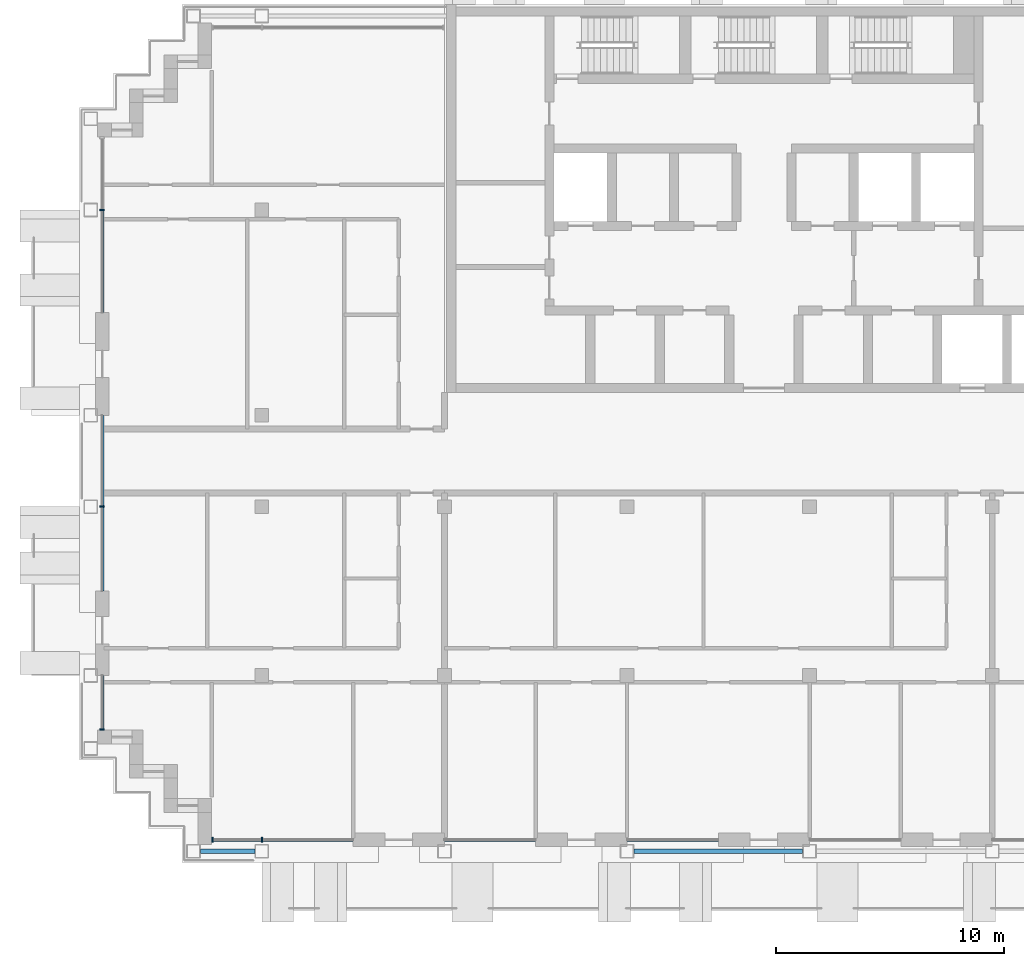
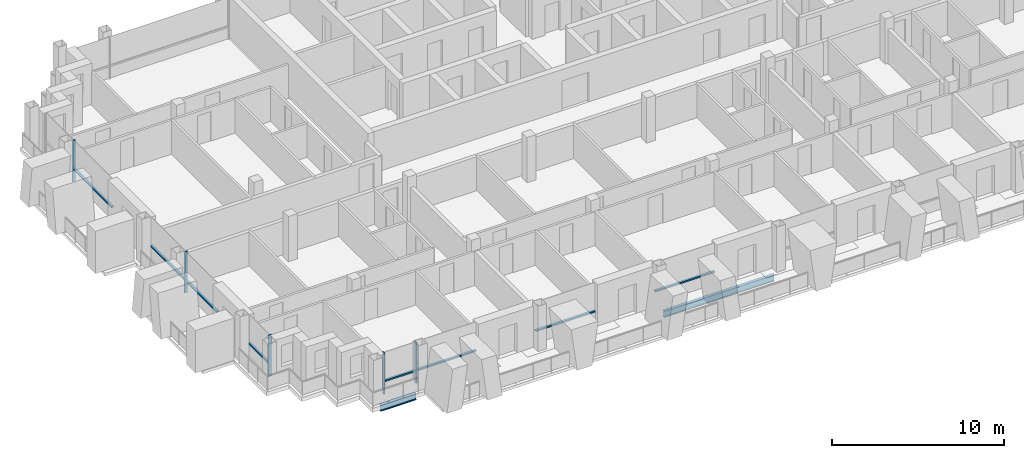
# One storey, part 2 of 16: 13 members, 2 beams, 6 elements without a shape of their own.
"""IFC4 building model written with IfcOpenShell, lengths in metres."""

from ifc_helpers import new_model, si_unit, direction, frame, origin, origin_2d, place, context, subcontext, project, spatial, rectangle, i_section, extrude, material, material_profile, profile_set, type_object, element, aggregate, save


model = new_model("IFC4")

# Units and contexts
model_context = context("Model", 3, precision=1e-05, world=origin(), true_north=direction((0.0, 1.0)))
body_context = subcontext(model_context, "Body", "Model", "MODEL_VIEW")
ifc_project = project(units=[si_unit("LENGTHUNIT", "METRE"), si_unit("AREAUNIT", "SQUARE_METRE"), si_unit("VOLUMEUNIT", "CUBIC_METRE"), si_unit("PLANEANGLEUNIT", "RADIAN"), si_unit("MASSUNIT", "GRAM", prefix="KILO")], contexts=[model_context])

# Site, building, storey
site_placement = place(None, origin())
site = spatial("IfcSite", under=ifc_project, at=site_placement, CompositionType="ELEMENT")
building_placement = place(site_placement, origin())
building = spatial("IfcBuilding", under=site, at=building_placement, Name="Vidyagriha Tower", CompositionType="ELEMENT")
storey_placement = place(building_placement, frame((0.0, 0.0, 207.60009765625)))
storey = spatial("IfcBuildingStorey", under=building, at=storey_placement, Name="L53", CompositionType="ELEMENT", Elevation=207.60009765625)

# Beams
ifc_material_1 = material(Name="Steel ASTM A992 Grade 50", Category="steel")
ifc_material_profile_1 = material_profile(ifc_material_1, i_section(OverallWidth=0.19189453125, OverallDepth=0.46240234375, WebThickness=0.010498046875, FlangeThickness=0.017578125, at=origin_2d()), Name="W18X60")
ifc_profile_set_1 = profile_set([ifc_material_profile_1], Name="Steel ASTM A992 Grade 50")
beam_type = type_object("IfcBeamType", Name="Edge beam W18X60", PredefinedType="SPANDREL", material=ifc_profile_set_1)
beam_1_placement = place(storey_placement, frame((-24.699951171875, -17.10009765625, -0.51123046875), z_axis=(1.0, 0.0, 0.0), x_axis=(0.0, 1.0, 0.0)))
element("IfcBeam", 1, at=beam_1_placement, inside=storey, type_object=beam_type, Name="st-beam-L53-S01", PredefinedType="SPANDREL", context=body_context, shape_type="SweptSolid", body=[
    extrude(i_section(OverallWidth=0.19189453125, OverallDepth=0.46240234375, WebThickness=0.010498046875, FlangeThickness=0.017578125, at=origin_2d()), origin(), (0.0, 0.0, 1.0), 2.39990234375),
])
beam_2_placement = place(storey_placement, frame((-5.699951171875, -17.10009765625, -0.51123046875), z_axis=(1.0, 0.0, 0.0), x_axis=(0.0, 1.0, 0.0)))
element("IfcBeam", 2, at=beam_2_placement, inside=storey, type_object=beam_type, Name="st-beam-L53-S02", PredefinedType="SPANDREL", context=body_context, shape_type="SweptSolid", body=[
    extrude(i_section(OverallWidth=0.19189453125, OverallDepth=0.46240234375, WebThickness=0.010498046875, FlangeThickness=0.017578125, at=origin_2d()), origin(), (0.0, 0.0, 1.0), 7.39990234375),
])

# Curtain wall, member
ifc_material_2 = material(Name="Aluminium and glass curtain wall", Category="aluminium")
curtain_wall_type = type_object("IfcCurtainWallType", Name="Dwelling skin unitised curtain wall", PredefinedType="USERDEFINED", material=ifc_material_2)
curtain_wall_1_placement = place(storey_placement, origin())
curtain_wall_1 = element("IfcCurtainWall", 3, at=curtain_wall_1_placement, inside=storey, type_object=curtain_wall_type, Name="CW1 dwelling skin", ObjectType="UNITISED", PredefinedType="USERDEFINED")
ifc_material_3 = material(Name="Aluminium black anodised", Category="aluminium")
ifc_material_profile_2 = material_profile(ifc_material_3, rectangle(XDim=0.199951171875, YDim=0.070068359375, at=origin_2d()), Name="Mullion 70x200 black aluminium")
ifc_profile_set_2 = profile_set([ifc_material_profile_2], Name="Aluminium black anodised")
member_type_1 = type_object("IfcMemberType", Name="Mullion 70x200 black aluminium", PredefinedType="MULLION", material=ifc_profile_set_2)
member_1_placement = place(storey_placement, frame((-29.0, 11.0, 0.0)))
member_1 = element("IfcMember", 4, at=member_1_placement, type_object=member_type_1, Name="CW1 mullion 2", PredefinedType="MULLION", context=body_context, shape_type="SweptSolid", body=[
    extrude(rectangle(XDim=0.199951171875, YDim=0.070068359375, at=origin_2d()), origin(), (0.0, 0.0, 1.0), 2.919921875),
])

curtain_wall_2_placement = place(storey_placement, origin())
curtain_wall_2 = element("IfcCurtainWall", 5, at=curtain_wall_2_placement, inside=storey, type_object=curtain_wall_type, Name="CW1 dwelling skin", ObjectType="UNITISED", PredefinedType="USERDEFINED")
member_2_placement = place(storey_placement, frame((-29.0, -2.0, 0.0)))
member_2 = element("IfcMember", 6, at=member_2_placement, type_object=member_type_1, Name="CW1 mullion 2", PredefinedType="MULLION", context=body_context, shape_type="SweptSolid", body=[
    extrude(rectangle(XDim=0.199951171875, YDim=0.070068359375, at=origin_2d()), origin(), (0.0, 0.0, 1.0), 2.919921875),
])

curtain_wall_3_placement = place(storey_placement, origin())
curtain_wall_3 = element("IfcCurtainWall", 7, at=curtain_wall_3_placement, inside=storey, type_object=curtain_wall_type, Name="CW1 dwelling skin", ObjectType="UNITISED", PredefinedType="USERDEFINED")
member_3_placement = place(storey_placement, frame((-29.0, -11.764892578125, 0.0)))
member_3 = element("IfcMember", 8, at=member_3_placement, type_object=member_type_1, Name="CW1 mullion 2", PredefinedType="MULLION", context=body_context, shape_type="SweptSolid", body=[
    extrude(rectangle(XDim=0.199951171875, YDim=0.070068359375, at=origin_2d()), origin(), (0.0, 0.0, 1.0), 2.919921875),
])

# Curtain wall, members
curtain_wall_4_placement = place(storey_placement, origin())
curtain_wall_4 = element("IfcCurtainWall", 9, at=curtain_wall_4_placement, inside=storey, type_object=curtain_wall_type, Name="CW1 dwelling skin", ObjectType="UNITISED", PredefinedType="USERDEFINED")
member_4_placement = place(storey_placement, frame((-24.1650390625, -16.60009765625, 0.0), z_axis=(0.0, 0.0, 1.0), x_axis=(0.0, 1.0, 0.0)))
member_4 = element("IfcMember", 10, at=member_4_placement, type_object=member_type_1, Name="CW1 mullion 1", PredefinedType="MULLION", context=body_context, shape_type="SweptSolid", body=[
    extrude(rectangle(XDim=0.199951171875, YDim=0.070068359375, at=origin_2d()), origin(), (0.0, 0.0, 1.0), 2.919921875),
])
member_5_placement = place(storey_placement, frame((-22.0, -16.60009765625, 0.0), z_axis=(0.0, 0.0, 1.0), x_axis=(0.0, 1.0, 0.0)))
member_5 = element("IfcMember", 11, at=member_5_placement, type_object=member_type_1, Name="CW1 mullion 2", PredefinedType="MULLION", context=body_context, shape_type="SweptSolid", body=[
    extrude(rectangle(XDim=0.199951171875, YDim=0.070068359375, at=origin_2d()), origin(), (0.0, 0.0, 1.0), 2.919921875),
])

# Member
ifc_material_4 = material(Name="Aluminium black anodised", Category="aluminium")
ifc_material_profile_3 = material_profile(ifc_material_4, rectangle(XDim=0.159912109375, YDim=0.10009765625, at=origin_2d()), Name="Transom 100x160 black aluminium")
ifc_profile_set_3 = profile_set([ifc_material_profile_3], Name="Aluminium black anodised")
member_type_2 = type_object("IfcMemberType", Name="Transom 100x160 black aluminium", PredefinedType="USERDEFINED", material=ifc_profile_set_3)
member_6_placement = place(storey_placement, frame((-29.0, 10.965087890625, 0.89990234375), z_axis=(0.0, -1.0, 0.0), x_axis=(1.0, 0.0, 0.0)))
member_6 = element("IfcMember", 12, at=member_6_placement, type_object=member_type_2, Name="CW1 transom 2.1", ObjectType="TRANSOM", PredefinedType="USERDEFINED", context=body_context, shape_type="SweptSolid", body=[
    extrude(rectangle(XDim=0.159912109375, YDim=0.10009765625, at=origin_2d()), origin(), (0.0, 0.0, 1.0), 4.465087890625),
])

aggregate(curtain_wall_1, [member_1, member_6])

member_7_placement = place(storey_placement, frame((-29.0, 2.0, 0.89990234375), z_axis=(0.0, -1.0, 0.0), x_axis=(1.0, 0.0, 0.0)))
member_7 = element("IfcMember", 13, at=member_7_placement, type_object=member_type_2, Name="CW1 transom 1.1", ObjectType="TRANSOM", PredefinedType="USERDEFINED", context=body_context, shape_type="SweptSolid", body=[
    extrude(rectangle(XDim=0.159912109375, YDim=0.10009765625, at=origin_2d()), origin(), (0.0, 0.0, 1.0), 3.965087890625),
])

member_8_placement = place(storey_placement, frame((-29.0, -2.034912109375, 0.89990234375), z_axis=(0.0, -1.0, 0.0), x_axis=(1.0, 0.0, 0.0)))
member_8 = element("IfcMember", 14, at=member_8_placement, type_object=member_type_2, Name="CW1 transom 2.1", ObjectType="TRANSOM", PredefinedType="USERDEFINED", context=body_context, shape_type="SweptSolid", body=[
    extrude(rectangle(XDim=0.159912109375, YDim=0.10009765625, at=origin_2d()), origin(), (0.0, 0.0, 1.0), 3.6650390625),
])

aggregate(curtain_wall_2, [member_2, member_7, member_8])

member_9_placement = place(storey_placement, frame((-29.0, -9.39990234375, 0.89990234375), z_axis=(0.0, -1.0, 0.0), x_axis=(1.0, 0.0, 0.0)))
member_9 = element("IfcMember", 15, at=member_9_placement, type_object=member_type_2, Name="CW1 transom 1.1", ObjectType="TRANSOM", PredefinedType="USERDEFINED", context=body_context, shape_type="SweptSolid", body=[
    extrude(rectangle(XDim=0.159912109375, YDim=0.10009765625, at=origin_2d()), origin(), (0.0, 0.0, 1.0), 2.330078125),
])

aggregate(curtain_wall_3, [member_3, member_9])

member_10_placement = place(storey_placement, frame((-24.1298828125, -16.60009765625, 0.89990234375), z_axis=(1.0, 0.0, 0.0), x_axis=(0.0, 1.0, 0.0)))
member_10 = element("IfcMember", 16, at=member_10_placement, type_object=member_type_2, Name="CW1 transom 1.1", ObjectType="TRANSOM", PredefinedType="USERDEFINED", context=body_context, shape_type="SweptSolid", body=[
    extrude(rectangle(XDim=0.159912109375, YDim=0.10009765625, at=origin_2d()), origin(), (0.0, 0.0, 1.0), 2.094970703125),
])

member_11_placement = place(storey_placement, frame((-21.965087890625, -16.60009765625, 0.89990234375), z_axis=(1.0, 0.0, 0.0), x_axis=(0.0, 1.0, 0.0)))
member_11 = element("IfcMember", 17, at=member_11_placement, type_object=member_type_2, Name="CW1 transom 2.1", ObjectType="TRANSOM", PredefinedType="USERDEFINED", context=body_context, shape_type="SweptSolid", body=[
    extrude(rectangle(XDim=0.159912109375, YDim=0.10009765625, at=origin_2d()), origin(), (0.0, 0.0, 1.0), 3.965087890625),
])

aggregate(curtain_wall_4, [member_4, member_5, member_10, member_11])

# Curtain wall, member
curtain_wall_5_placement = place(storey_placement, origin())
curtain_wall_5 = element("IfcCurtainWall", 18, at=curtain_wall_5_placement, inside=storey, type_object=curtain_wall_type, Name="CW1 dwelling skin", ObjectType="UNITISED", PredefinedType="USERDEFINED")
member_12_placement = place(storey_placement, frame((-14.0, -16.60009765625, 0.89990234375), z_axis=(1.0, 0.0, 0.0), x_axis=(0.0, 1.0, 0.0)))
member_12 = element("IfcMember", 19, at=member_12_placement, type_object=member_type_2, Name="CW1 transom 1.1", ObjectType="TRANSOM", PredefinedType="USERDEFINED", context=body_context, shape_type="SweptSolid", body=[
    extrude(rectangle(XDim=0.159912109375, YDim=0.10009765625, at=origin_2d()), origin(), (0.0, 0.0, 1.0), 4.0),
])
aggregate(curtain_wall_5, [member_12])

curtain_wall_6_placement = place(storey_placement, origin())
curtain_wall_6 = element("IfcCurtainWall", 20, at=curtain_wall_6_placement, inside=storey, type_object=curtain_wall_type, Name="CW1 dwelling skin", ObjectType="UNITISED", PredefinedType="USERDEFINED")
member_13_placement = place(storey_placement, frame((-6.0, -16.60009765625, 0.89990234375), z_axis=(1.0, 0.0, 0.0), x_axis=(0.0, 1.0, 0.0)))
member_13 = element("IfcMember", 21, at=member_13_placement, type_object=member_type_2, Name="CW1 transom 1.1", ObjectType="TRANSOM", PredefinedType="USERDEFINED", context=body_context, shape_type="SweptSolid", body=[
    extrude(rectangle(XDim=0.159912109375, YDim=0.10009765625, at=origin_2d()), origin(), (0.0, 0.0, 1.0), 4.0),
])
aggregate(curtain_wall_6, [member_13])

save(model, "model.ifc")
